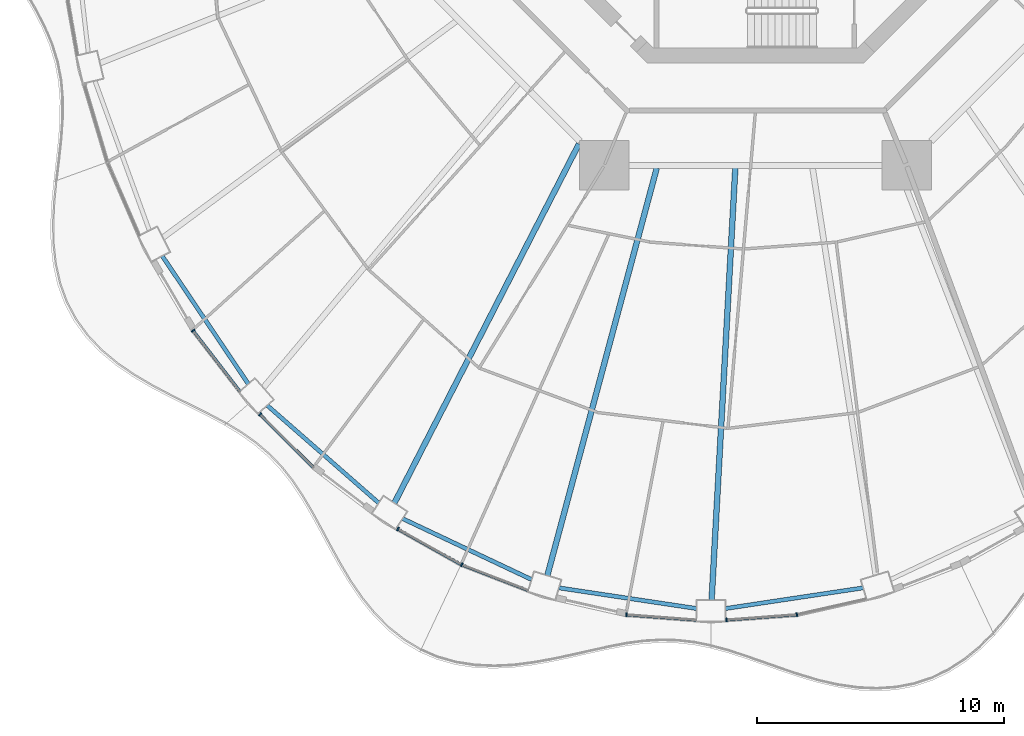
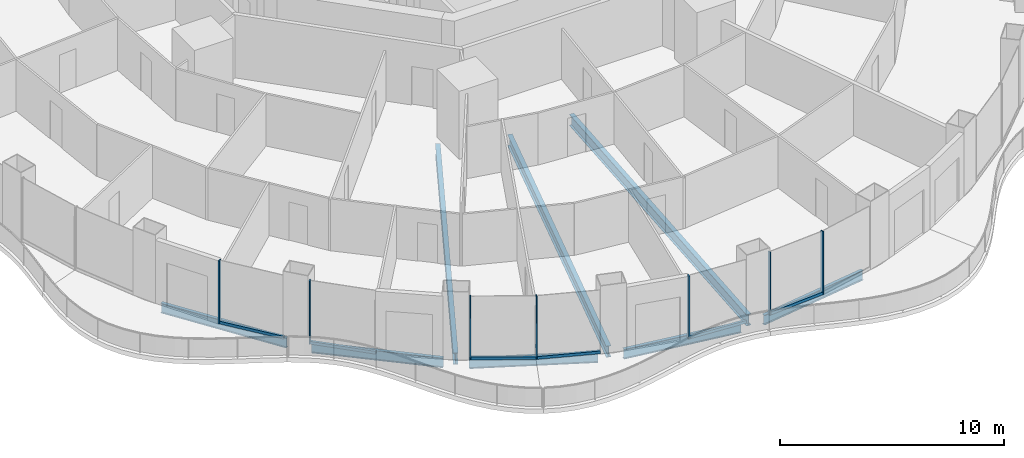
# One storey, part 2 of 19: 13 members, 8 beams, 7 elements without a shape of their own.
"""IFC4 building model written with IfcOpenShell, lengths in metres."""

from ifc_helpers import new_model, si_unit, direction, frame, origin, origin_2d, place, context, subcontext, project, spatial, rectangle, i_section, extrude, material, layer, layer_set, material_profile, profile_set, type_object, element, aggregate, save


model = new_model("IFC4")

# Units and contexts
model_context = context("Model", 3, precision=1e-05, world=origin(), true_north=direction((0.0, 1.0)))
body_context = subcontext(model_context, "Body", "Model", "MODEL_VIEW")
ifc_project = project(units=[si_unit("LENGTHUNIT", "METRE"), si_unit("AREAUNIT", "SQUARE_METRE"), si_unit("VOLUMEUNIT", "CUBIC_METRE"), si_unit("PLANEANGLEUNIT", "RADIAN"), si_unit("MASSUNIT", "GRAM", prefix="KILO")], contexts=[model_context])

# Site, building, storey
site_placement = place(None, origin())
site = spatial("IfcSite", under=ifc_project, at=site_placement, CompositionType="ELEMENT")
building_placement = place(site_placement, origin())
building = spatial("IfcBuilding", under=site, at=building_placement, Name="Nagisa Residences", CompositionType="ELEMENT")
storey_placement = place(building_placement, frame((0.0, 0.0, 127.0)))
storey = spatial("IfcBuildingStorey", under=building, at=storey_placement, Name="L31", CompositionType="ELEMENT", Elevation=127.0)

# Curtain wall, member
ifc_material_1 = material(Name="Concrete-coloured aluminium curtain wall system", Category="concrete")
ifc_layer = layer(ifc_material_1, 0.159912109375)
ifc_layer_set = layer_set([ifc_layer], Name="CW1 CURTAIN WALL")
curtain_wall_type = type_object("IfcCurtainWallType", Name="CW1 CURTAIN WALL", PredefinedType="NOTDEFINED", material=ifc_layer_set)
curtain_wall_1_placement = place(storey_placement, origin())
curtain_wall_1 = element("IfcCurtainWall", 1, at=curtain_wall_1_placement, inside=storey, type_object=curtain_wall_type, Name="cw:CW1:L31:29", PredefinedType="NOTDEFINED")
ifc_material_2 = material(Name="Concrete-coloured aluminium", Category="concrete")
ifc_material_profile_1 = material_profile(ifc_material_2, rectangle(XDim=0.159912109375, YDim=0.06005859375, at=origin_2d()), Name="CW1 MULLION 160x60")
ifc_profile_set_1 = profile_set([ifc_material_profile_1], Name="Concrete-coloured aluminium")
member_type_1 = type_object("IfcMemberType", Name="CW1 MULLION 160x60", PredefinedType="MULLION", material=ifc_profile_set_1)
member_1_placement = place(storey_placement, frame((-22.77001953125, -21.47412109375, 0.0), z_axis=(0.0, 0.0, 1.0), x_axis=(0.792070340816, 0.610429828235, 0.0)))
member_1 = element("IfcMember", 2, at=member_1_placement, type_object=member_type_1, Name="CW1 mullion", PredefinedType="MULLION", context=body_context, shape_type="SweptSolid", body=[
    extrude(rectangle(XDim=0.159912109375, YDim=0.06005859375, at=origin_2d()), origin(), (0.0, 0.0, 1.0), 3.43994140625),
])

curtain_wall_2_placement = place(storey_placement, origin())
curtain_wall_2 = element("IfcCurtainWall", 3, at=curtain_wall_2_placement, inside=storey, type_object=curtain_wall_type, Name="cw:CW1:L31:30", PredefinedType="NOTDEFINED")
member_2_placement = place(storey_placement, frame((-20.060546875, -24.857177734375, 0.0), z_axis=(0.0, 0.0, 1.0), x_axis=(0.706376885714, 0.707835924016, 0.0)))
member_2 = element("IfcMember", 4, at=member_2_placement, type_object=member_type_1, Name="CW1 mullion", PredefinedType="MULLION", context=body_context, shape_type="SweptSolid", body=[
    extrude(rectangle(XDim=0.159912109375, YDim=0.06005859375, at=origin_2d()), origin(), (0.0, 0.0, 1.0), 3.43994140625),
])

curtain_wall_3_placement = place(storey_placement, origin())
curtain_wall_3 = element("IfcCurtainWall", 5, at=curtain_wall_3_placement, inside=storey, type_object=curtain_wall_type, Name="cw:CW1:L31:32", PredefinedType="NOTDEFINED")
member_3_placement = place(storey_placement, frame((-14.47900390625, -29.505859375, 0.0), z_axis=(0.0, 0.0, 1.0), x_axis=(0.489376918501, 0.872072377523, 0.0)))
member_3 = element("IfcMember", 6, at=member_3_placement, type_object=member_type_1, Name="CW1 mullion", PredefinedType="MULLION", context=body_context, shape_type="SweptSolid", body=[
    extrude(rectangle(XDim=0.159912109375, YDim=0.06005859375, at=origin_2d()), origin(), (0.0, 0.0, 1.0), 3.43994140625),
])

curtain_wall_4_placement = place(storey_placement, origin())
curtain_wall_4 = element("IfcCurtainWall", 7, at=curtain_wall_4_placement, inside=storey, type_object=curtain_wall_type, Name="cw:CW1:L31:33", PredefinedType="NOTDEFINED")
member_4_placement = place(storey_placement, frame((-11.897705078125, -30.950439453125, 0.0), z_axis=(0.0, 0.0, 1.0), x_axis=(0.360327770268, 0.932825759707, 0.0)))
member_4 = element("IfcMember", 8, at=member_4_placement, type_object=member_type_1, Name="CW1 mullion", PredefinedType="MULLION", context=body_context, shape_type="SweptSolid", body=[
    extrude(rectangle(XDim=0.159912109375, YDim=0.06005859375, at=origin_2d()), origin(), (0.0, 0.0, 1.0), 3.43994140625),
])

curtain_wall_5_placement = place(storey_placement, origin())
curtain_wall_5 = element("IfcCurtainWall", 9, at=curtain_wall_5_placement, inside=storey, type_object=curtain_wall_type, Name="cw:CW1:L31:35", PredefinedType="NOTDEFINED")
member_5_placement = place(storey_placement, frame((-5.2275390625, -32.976806640625, 0.0), z_axis=(0.0, 0.0, 1.0), x_axis=(0.074377355493, 0.997230168512, 0.0)))
member_5 = element("IfcMember", 10, at=member_5_placement, type_object=member_type_1, Name="CW1 mullion", PredefinedType="MULLION", context=body_context, shape_type="SweptSolid", body=[
    extrude(rectangle(XDim=0.159912109375, YDim=0.06005859375, at=origin_2d()), origin(), (0.0, 0.0, 1.0), 3.43994140625),
])

curtain_wall_6_placement = place(storey_placement, origin())
curtain_wall_6 = element("IfcCurtainWall", 11, at=curtain_wall_6_placement, inside=storey, type_object=curtain_wall_type, Name="cw:CW1:L31:36", PredefinedType="NOTDEFINED")
member_6_placement = place(storey_placement, frame((-1.177734375, -33.18603515625, 0.0), z_axis=(0.0, 0.0, 1.0), x_axis=(-0.074377355493, 0.997230168512, 0.0)))
member_6 = element("IfcMember", 12, at=member_6_placement, type_object=member_type_1, Name="CW1 mullion", PredefinedType="MULLION", context=body_context, shape_type="SweptSolid", body=[
    extrude(rectangle(XDim=0.159912109375, YDim=0.06005859375, at=origin_2d()), origin(), (0.0, 0.0, 1.0), 3.43994140625),
])

curtain_wall_7_placement = place(storey_placement, origin())
curtain_wall_7 = element("IfcCurtainWall", 13, at=curtain_wall_7_placement, inside=storey, type_object=curtain_wall_type, Name="cw:CW1:L31:37", PredefinedType="NOTDEFINED")
member_7_placement = place(storey_placement, frame((1.675048828125, -32.9697265625, 0.0), z_axis=(0.0, 0.0, 1.0), x_axis=(-0.2207639201, 0.975327274089, 0.0)))
member_7 = element("IfcMember", 14, at=member_7_placement, type_object=member_type_1, Name="CW1 mullion", PredefinedType="MULLION", context=body_context, shape_type="SweptSolid", body=[
    extrude(rectangle(XDim=0.159912109375, YDim=0.06005859375, at=origin_2d()), origin(), (0.0, 0.0, 1.0), 3.43994140625),
])
aggregate(curtain_wall_7, [member_7])

# Member
ifc_material_3 = material(Name="Concrete-coloured aluminium", Category="concrete")
ifc_material_profile_2 = material_profile(ifc_material_3, rectangle(XDim=0.1201171875, YDim=0.14990234375, at=origin_2d()), Name="CW1 TRANSOM 120x150")
ifc_profile_set_2 = profile_set([ifc_material_profile_2], Name="Concrete-coloured aluminium")
member_type_2 = type_object("IfcMemberType", Name="CW1 TRANSOM 120x150", PredefinedType="USERDEFINED", material=ifc_profile_set_2)
member_8_placement = place(storey_placement, frame((-22.788330078125, -21.450439453125, 0.074951171875), z_axis=(0.610429847179, -0.792070326217, 0.0), x_axis=(0.792070326217, 0.610429847179, 0.0)))
member_8 = element("IfcMember", 15, at=member_8_placement, type_object=member_type_2, Name="CW1 transom", ObjectType="TRANSOM", PredefinedType="USERDEFINED", context=body_context, shape_type="SweptSolid", body=[
    extrude(rectangle(XDim=0.1201171875, YDim=0.14990234375, at=origin_2d()), origin(), (0.0, 0.0, 1.0), 3.149169921875),
])

aggregate(curtain_wall_1, [member_1, member_8])

member_9_placement = place(storey_placement, frame((-20.081787109375, -24.8359375, 0.074951171875), z_axis=(0.707818274975, -0.706394570768, 0.0), x_axis=(0.706394570768, 0.707818274975, 0.0)))
member_9 = element("IfcMember", 16, at=member_9_placement, type_object=member_type_2, Name="CW1 transom", ObjectType="TRANSOM", PredefinedType="USERDEFINED", context=body_context, shape_type="SweptSolid", body=[
    extrude(rectangle(XDim=0.1201171875, YDim=0.14990234375, at=origin_2d()), origin(), (0.0, 0.0, 1.0), 3.086669921875),
])

aggregate(curtain_wall_2, [member_2, member_9])

member_10_placement = place(storey_placement, frame((-14.505126953125, -29.4912109375, 0.074951171875), z_axis=(0.87206688547, -0.489386705241, 0.0), x_axis=(0.489386705241, 0.87206688547, 0.0)))
member_10 = element("IfcMember", 17, at=member_10_placement, type_object=member_type_2, Name="CW1 transom", ObjectType="TRANSOM", PredefinedType="USERDEFINED", context=body_context, shape_type="SweptSolid", body=[
    extrude(rectangle(XDim=0.1201171875, YDim=0.14990234375, at=origin_2d()), origin(), (0.0, 0.0, 1.0), 2.9697265625),
])

aggregate(curtain_wall_3, [member_3, member_10])

member_11_placement = place(storey_placement, frame((-11.92578125, -30.939697265625, 0.074951171875), z_axis=(0.932845344347, -0.360277064952, 0.0), x_axis=(0.360277064952, 0.932845344347, 0.0)))
member_11 = element("IfcMember", 18, at=member_11_placement, type_object=member_type_2, Name="CW1 transom", ObjectType="TRANSOM", PredefinedType="USERDEFINED", context=body_context, shape_type="SweptSolid", body=[
    extrude(rectangle(XDim=0.1201171875, YDim=0.14990234375, at=origin_2d()), origin(), (0.0, 0.0, 1.0), 2.92333984375),
])

aggregate(curtain_wall_4, [member_4, member_11])

member_12_placement = place(storey_placement, frame((-5.257568359375, -32.974609375, 0.074951171875), z_axis=(0.997232166829, -0.074350557769, 0.0), x_axis=(0.074350557769, 0.997232166829, 0.0)))
member_12 = element("IfcMember", 19, at=member_12_placement, type_object=member_type_2, Name="CW1 transom", ObjectType="TRANSOM", PredefinedType="USERDEFINED", context=body_context, shape_type="SweptSolid", body=[
    extrude(rectangle(XDim=0.1201171875, YDim=0.14990234375, at=origin_2d()), origin(), (0.0, 0.0, 1.0), 2.873291015625),
])

aggregate(curtain_wall_5, [member_5, member_12])

member_13_placement = place(storey_placement, frame((-1.20751953125, -33.188232421875, 0.074951171875), z_axis=(0.997231697044, 0.074356858535, 0.0), x_axis=(-0.074356858535, 0.997231697044, 0.0)))
member_13 = element("IfcMember", 20, at=member_13_placement, type_object=member_type_2, Name="CW1 transom", ObjectType="TRANSOM", PredefinedType="USERDEFINED", context=body_context, shape_type="SweptSolid", body=[
    extrude(rectangle(XDim=0.1201171875, YDim=0.14990234375, at=origin_2d()), origin(), (0.0, 0.0, 1.0), 2.873046875),
])

aggregate(curtain_wall_6, [member_6, member_13])

# Beams
ifc_material_4 = material(Name="Steel ASTM A572 Gr 50", Category="steel")
ifc_material_profile_3 = material_profile(ifc_material_4, i_section(OverallWidth=0.166015625, OverallDepth=0.534912109375, WebThickness=0.01025390625, FlangeThickness=0.0166015625, at=origin_2d()), Name="W530x85")
ifc_profile_set_3 = profile_set([ifc_material_profile_3], Name="Steel ASTM A572 Gr 50")
beam_type_1 = type_object("IfcBeamType", Name="Perimeter ring beam W530x85", PredefinedType="BEAM", material=ifc_profile_set_3)
beam_1_placement = place(storey_placement, frame((-24.020751953125, -18.4501953125, -0.527587890625), z_axis=(0.558187951157, -0.82971453596, 0.0), x_axis=(0.82971453596, 0.558187951157, 0.0)))
element("IfcBeam", 21, at=beam_1_placement, inside=storey, type_object=beam_type_1, Name="beam:L31:pb15", PredefinedType="BEAM", context=body_context, shape_type="SweptSolid", body=[
    extrude(i_section(OverallWidth=0.166015625, OverallDepth=0.534912109375, WebThickness=0.01025390625, FlangeThickness=0.0166015625, at=origin_2d()), origin(), (0.0, 0.0, 1.0), 6.24267578125),
])
beam_2_placement = place(storey_placement, frame((-19.769287109375, -24.500732421875, -0.527587890625), z_axis=(0.75252371036, -0.658565156493, 0.0), x_axis=(0.658565156493, 0.75252371036, 0.0)))
element("IfcBeam", 22, at=beam_2_placement, inside=storey, type_object=beam_type_1, Name="beam:L31:pb16", PredefinedType="BEAM", context=body_context, shape_type="SweptSolid", body=[
    extrude(i_section(OverallWidth=0.166015625, OverallDepth=0.534912109375, WebThickness=0.01025390625, FlangeThickness=0.0166015625, at=origin_2d()), origin(), (0.0, 0.0, 1.0), 5.994384765625),
])
beam_3_placement = place(storey_placement, frame((-14.287841796875, -29.084716796875, -0.527587890625), z_axis=(0.904186034847, -0.427138870143, 0.0), x_axis=(0.427138870143, 0.904186034847, 0.0)))
element("IfcBeam", 23, at=beam_3_placement, inside=storey, type_object=beam_type_1, Name="beam:L31:pb17", PredefinedType="BEAM", context=body_context, shape_type="SweptSolid", body=[
    extrude(i_section(OverallWidth=0.166015625, OverallDepth=0.534912109375, WebThickness=0.01025390625, FlangeThickness=0.0166015625, at=origin_2d()), origin(), (0.0, 0.0, 1.0), 5.772216796875),
])
for number, where, z_axis, x_axis, name in (
    (24, (-7.958251953125, -31.887939453125, -0.527587890625), (0.9889122118, -0.148501304214, 0.0), (0.148501304214, 0.9889122118, 0.0), "beam:L31:pb18"),
    (25, (-1.2197265625, -32.7255859375, -0.527587890625), (0.9889122118, 0.148501304214, 0.0), (-0.148501304214, 0.9889122118, 0.0), "beam:L31:pb19"),
):
    element("IfcBeam", number, at=place(storey_placement, frame(where, z_axis=z_axis, x_axis=x_axis)), inside=storey, type_object=beam_type_1, Name=name, PredefinedType="BEAM", context=body_context, shape_type="SweptSolid", body=[
        extrude(i_section(OverallWidth=0.166015625, OverallDepth=0.534912109375, WebThickness=0.01025390625, FlangeThickness=0.0166015625, at=origin_2d()), origin(), (0.0, 0.0, 1.0), 5.640625),
    ])
ifc_material_5 = material(Name="Steel ASTM A572 Gr 50", Category="steel")
ifc_material_profile_4 = material_profile(ifc_material_5, i_section(OverallWidth=0.22900390625, OverallDepth=0.612060546875, WebThickness=0.011962890625, FlangeThickness=0.01953125, at=origin_2d()), Name="W610x125")
ifc_profile_set_4 = profile_set([ifc_material_profile_4], Name="Steel ASTM A572 Gr 50")
beam_type_2 = type_object("IfcBeamType", Name="Radial beam W610x125", PredefinedType="BEAM", material=ifc_profile_set_4)
beam_4_placement = place(storey_placement, frame((-14.619873046875, -28.449462890625, -0.56591796875), z_axis=(0.457072968779, 0.889429199662, 0.0), x_axis=(-0.889429199662, 0.457072968779, 0.0)))
element("IfcBeam", 26, at=beam_4_placement, inside=storey, type_object=beam_type_2, Name="beam:L31:rb17", PredefinedType="BEAM", context=body_context, shape_type="SweptSolid", body=[
    extrude(i_section(OverallWidth=0.22900390625, OverallDepth=0.612060546875, WebThickness=0.011962890625, FlangeThickness=0.01953125, at=origin_2d()), origin(), (0.0, 0.0, 1.0), 16.347412109375),
])
beam_5_placement = place(storey_placement, frame((-8.4267578125, -31.38525390625, -0.56591796875), z_axis=(0.25930906211, 0.965794393392, 0.0), x_axis=(-0.965794393392, 0.25930906211, 0.0)))
element("IfcBeam", 27, at=beam_5_placement, inside=storey, type_object=beam_type_2, Name="beam:L31:rb18", PredefinedType="BEAM", context=body_context, shape_type="SweptSolid", body=[
    extrude(i_section(OverallWidth=0.22900390625, OverallDepth=0.612060546875, WebThickness=0.011962890625, FlangeThickness=0.01953125, at=origin_2d()), origin(), (0.0, 0.0, 1.0), 17.079833984375),
])
beam_6_placement = place(storey_placement, frame((-1.7763671875, -32.382568359375, -0.56591796875), z_axis=(0.054779249477, 0.998498489647, 0.0), x_axis=(-0.998498489647, 0.054779249477, 0.0)))
element("IfcBeam", 28, at=beam_6_placement, inside=storey, type_object=beam_type_2, Name="beam:L31:rb19", PredefinedType="BEAM", context=body_context, shape_type="SweptSolid", body=[
    extrude(i_section(OverallWidth=0.22900390625, OverallDepth=0.612060546875, WebThickness=0.011962890625, FlangeThickness=0.01953125, at=origin_2d()), origin(), (0.0, 0.0, 1.0), 17.519775390625),
])

save(model, "model.ifc")
